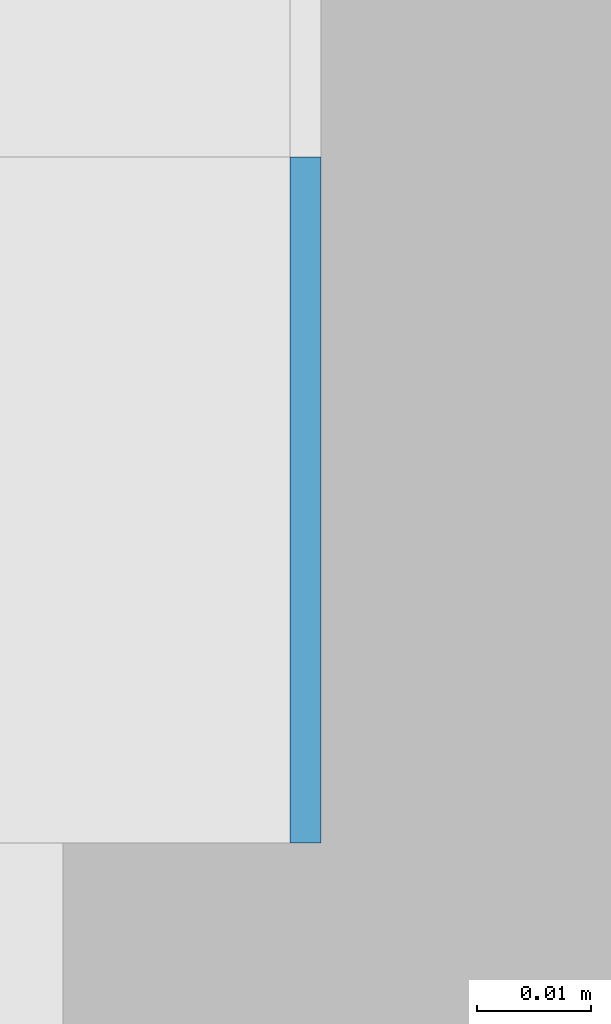
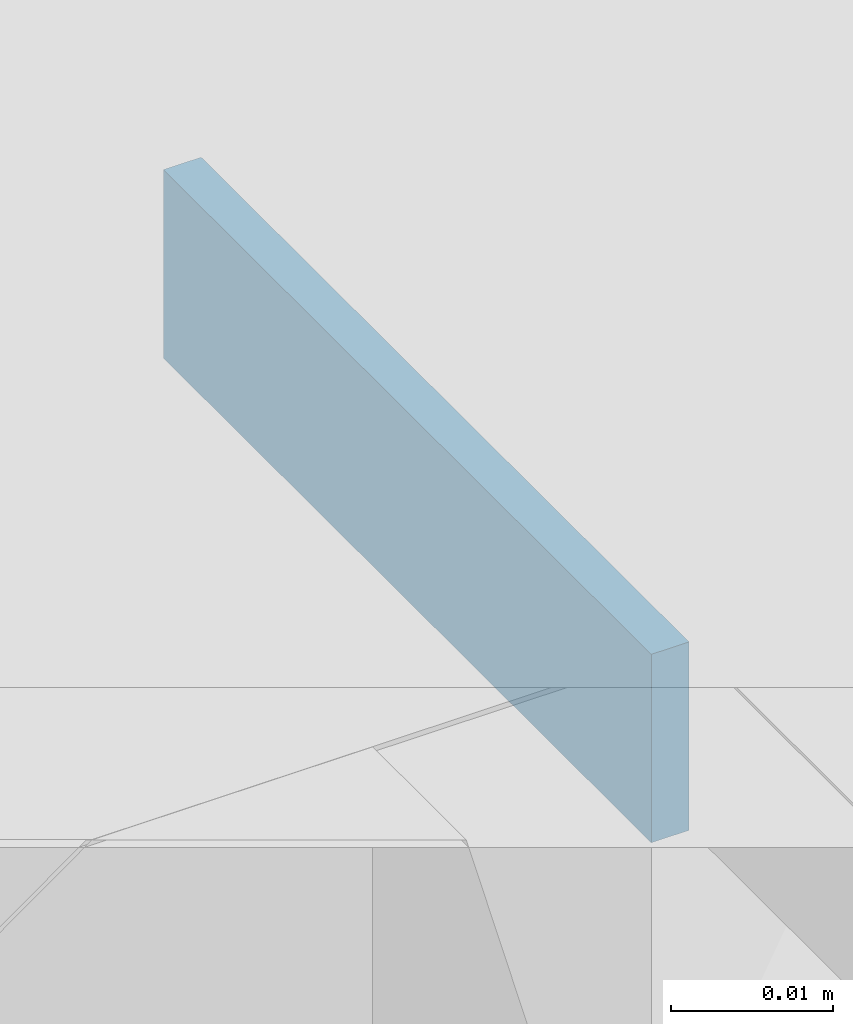
# One storey, part 267 of 646: 1 discrete accessory.
"""IFC4 building model written with IfcOpenShell, lengths in metres."""

from ifc_helpers import new_model, si_unit, direction, frame, origin, origin_2d, place, context, subcontext, project, spatial, rectangle, extrude, material, type_object, element, save


model = new_model("IFC4")

# Units and contexts
model_context = context("Model", 3, precision=1e-05, world=origin(), true_north=direction((0.0, 1.0)))
body_context = subcontext(model_context, "Body", "Model", "MODEL_VIEW")
ifc_project = project(units=[si_unit("LENGTHUNIT", "METRE"), si_unit("AREAUNIT", "SQUARE_METRE"), si_unit("VOLUMEUNIT", "CUBIC_METRE"), si_unit("PLANEANGLEUNIT", "RADIAN"), si_unit("MASSUNIT", "GRAM", prefix="KILO")], contexts=[model_context])

# Site, building, storey
site_placement = place(None, origin())
site = spatial("IfcSite", under=ifc_project, at=site_placement, CompositionType="ELEMENT")
building_placement = place(site_placement, origin())
building = spatial("IfcBuilding", under=site, at=building_placement, Name="Silverbay Arena", CompositionType="ELEMENT")
storey_placement = place(building_placement, frame((0.0, 0.0, 33.5)))
storey = spatial("IfcBuildingStorey", under=building, at=storey_placement, Name="L05", CompositionType="ELEMENT", Elevation=33.5)

# Discrete accessory
ifc_material = material(Name="Steel S355", Category="steel")
discrete_accessory_type = type_object("IfcDiscreteAccessoryType", Name="Steel bracket plate", PredefinedType="BRACKET", material=ifc_material)
discrete_accessory_placement = place(storey_placement, frame((53.871337890625, 44.969970703125, 12.98583984375), z_axis=(0.0, 0.0, 1.0), x_axis=(1.0, 0.0, 0.0)))
element("IfcDiscreteAccessory", 1, at=discrete_accessory_placement, inside=storey, type_object=discrete_accessory_type, Name="Curtain wall packing plate", PredefinedType="BRACKET", context=body_context, shape_type="SweptSolid", body=[
    extrude(rectangle(XDim=0.002685546875, YDim=0.06005859375, at=origin_2d()), origin(), (0.0, 0.0, 1.0), 0.01416015625),
])

save(model, "model.ifc")
